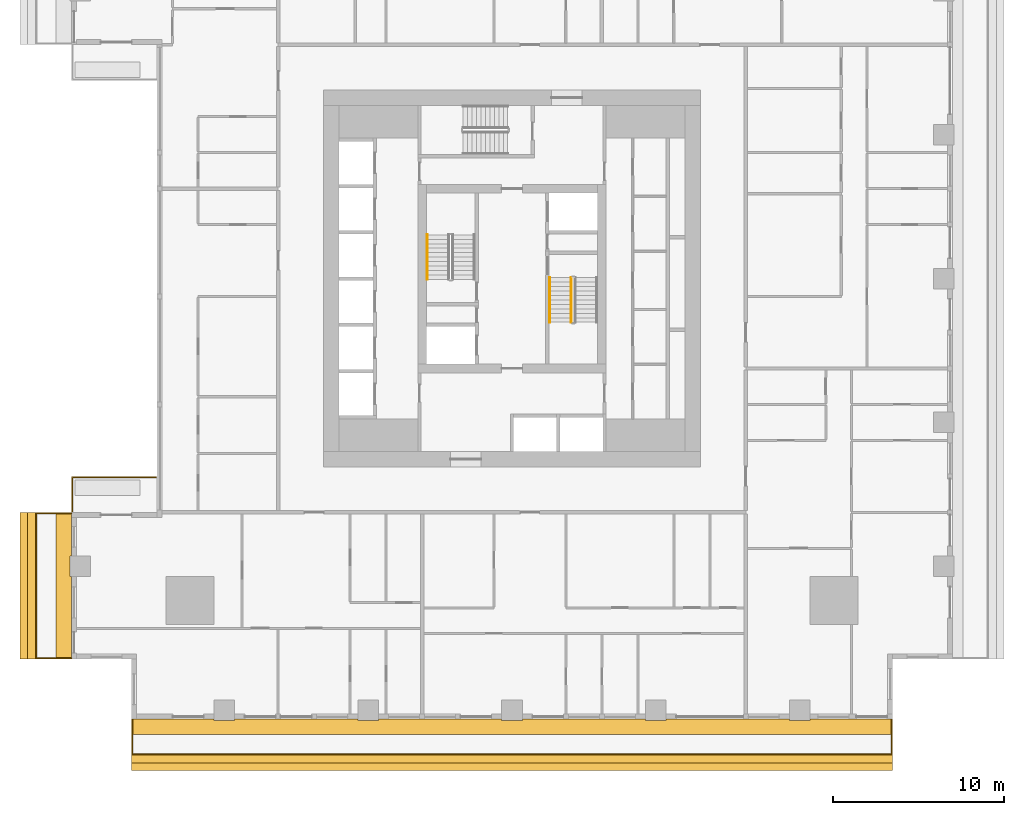
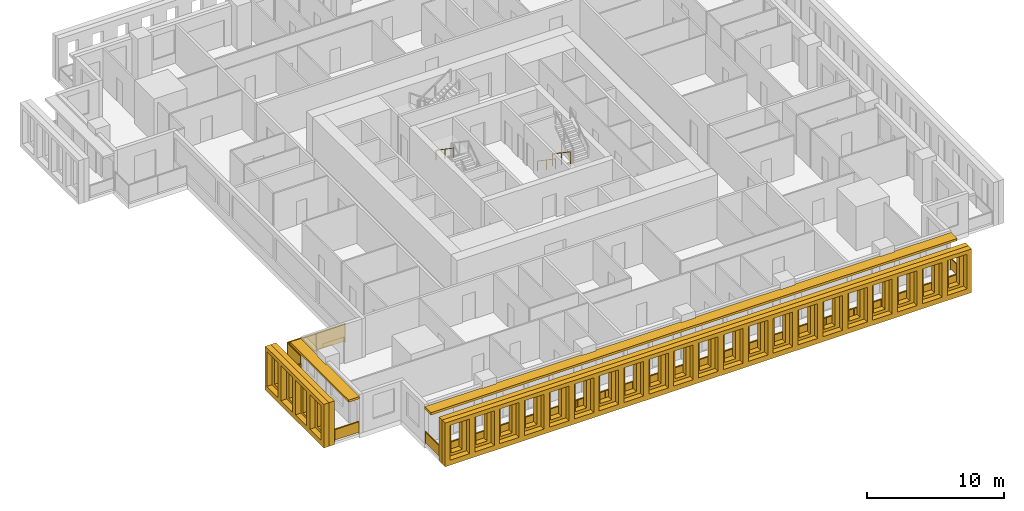
# One storey, part 11 of 15: 6 railings, 6 shading devices.
"""IFC4 building model written with IfcOpenShell, lengths in metres."""

from ifc_helpers import new_model, si_unit, direction, frame, origin, origin_2d, place, context, subcontext, project, spatial, polyline, rectangle, outline, extrude, material, layer, layer_set, type_object, element, save


model = new_model("IFC4")

# Units and contexts
model_context = context("Model", 3, precision=1e-05, world=origin(), true_north=direction((0.0, 1.0)))
body_context = subcontext(model_context, "Body", "Model", "MODEL_VIEW")
ifc_project = project(units=[si_unit("LENGTHUNIT", "METRE"), si_unit("AREAUNIT", "SQUARE_METRE"), si_unit("VOLUMEUNIT", "CUBIC_METRE"), si_unit("PLANEANGLEUNIT", "RADIAN"), si_unit("MASSUNIT", "GRAM", prefix="KILO")], contexts=[model_context])

# Site, building, storey
site_placement = place(None, origin())
site = spatial("IfcSite", under=ifc_project, at=site_placement, CompositionType="ELEMENT")
building_placement = place(site_placement, origin())
building = spatial("IfcBuilding", under=site, at=building_placement, Name="Khepri Terraces", CompositionType="ELEMENT")
storey_placement = place(building_placement, frame((0.0, 0.0, 118.199951171875)))
storey = spatial("IfcBuildingStorey", under=building, at=storey_placement, Name="L28", CompositionType="ELEMENT", Elevation=118.199951171875)

# Railings
ifc_material_1 = material(Name="Stainless steel grade 316", Category="steel")
railing_type_1 = type_object("IfcRailingType", Name="GRD-BAL-1100", PredefinedType="GUARDRAIL", material=ifc_material_1)
railing_1_placement = place(storey_placement, frame((-22.169921875, -25.719970703125, 0.0)))
element("IfcRailing", 1, at=railing_1_placement, inside=storey, type_object=railing_type_1, Name="Balcony guard L28 S", PredefinedType="GUARDRAIL", context=body_context, shape_type="SweptSolid", body=[
    extrude(rectangle(XDim=0.050048828125, YDim=0.06005859375, at=origin_2d()), frame((0.0, 0.0, 1.070068359375), z_axis=(0.0, -1.0, 0.0), x_axis=(1.0, 0.0, 0.0)), (0.0, 0.0, 1.0), 2.050048828125),
    extrude(rectangle(XDim=2.0, YDim=0.011962890625, at=origin_2d()), frame((0.0, -1.02490234375, 0.10009765625), z_axis=(0.0, 0.0, 1.0), x_axis=(0.0, -1.0, 0.0)), (0.0, 0.0, 1.0), 0.93994140625),
    extrude(rectangle(XDim=0.050048828125, YDim=0.06005859375, at=origin_2d()), frame((0.0, -2.050048828125, 1.070068359375), z_axis=(1.0, 0.0, 0.0), x_axis=(0.0, 1.0, 0.0)), (0.0, 0.0, 1.0), 44.33984375),
    extrude(rectangle(XDim=2.28369140625, YDim=0.011962890625, at=origin_2d()), frame((1.166748046875, -2.050048828125, 0.10009765625), z_axis=(0.0, 0.0, 1.0), x_axis=(1.0, 0.0, 0.0)), (0.0, 0.0, 1.0), 0.93994140625),
    extrude(rectangle(XDim=2.28369140625, YDim=0.011962890625, at=origin_2d()), frame((3.50048828125, -2.050048828125, 0.10009765625), z_axis=(0.0, 0.0, 1.0), x_axis=(1.0, 0.0, 0.0)), (0.0, 0.0, 1.0), 0.93994140625),
    extrude(rectangle(XDim=2.28369140625, YDim=0.011962890625, at=origin_2d()), frame((5.834228515625, -2.050048828125, 0.10009765625), z_axis=(0.0, 0.0, 1.0), x_axis=(1.0, 0.0, 0.0)), (0.0, 0.0, 1.0), 0.93994140625),
    extrude(rectangle(XDim=2.28369140625, YDim=0.011962890625, at=origin_2d()), frame((8.16796875, -2.050048828125, 0.10009765625), z_axis=(0.0, 0.0, 1.0), x_axis=(1.0, 0.0, 0.0)), (0.0, 0.0, 1.0), 0.93994140625),
    extrude(rectangle(XDim=2.28369140625, YDim=0.011962890625, at=origin_2d()), frame((10.50146484375, -2.050048828125, 0.10009765625), z_axis=(0.0, 0.0, 1.0), x_axis=(1.0, 0.0, 0.0)), (0.0, 0.0, 1.0), 0.93994140625),
    extrude(rectangle(XDim=2.28369140625, YDim=0.011962890625, at=origin_2d()), frame((12.835205078125, -2.050048828125, 0.10009765625), z_axis=(0.0, 0.0, 1.0), x_axis=(1.0, 0.0, 0.0)), (0.0, 0.0, 1.0), 0.93994140625),
    extrude(rectangle(XDim=2.28369140625, YDim=0.011962890625, at=origin_2d()), frame((15.1689453125, -2.050048828125, 0.10009765625), z_axis=(0.0, 0.0, 1.0), x_axis=(1.0, 0.0, 0.0)), (0.0, 0.0, 1.0), 0.93994140625),
    extrude(rectangle(XDim=2.28369140625, YDim=0.011962890625, at=origin_2d()), frame((17.502685546875, -2.050048828125, 0.10009765625), z_axis=(0.0, 0.0, 1.0), x_axis=(1.0, 0.0, 0.0)), (0.0, 0.0, 1.0), 0.93994140625),
    extrude(rectangle(XDim=2.28369140625, YDim=0.011962890625, at=origin_2d()), frame((19.836181640625, -2.050048828125, 0.10009765625), z_axis=(0.0, 0.0, 1.0), x_axis=(1.0, 0.0, 0.0)), (0.0, 0.0, 1.0), 0.93994140625),
    extrude(rectangle(XDim=2.28369140625, YDim=0.011962890625, at=origin_2d()), frame((22.169921875, -2.050048828125, 0.10009765625), z_axis=(0.0, 0.0, 1.0), x_axis=(1.0, 0.0, 0.0)), (0.0, 0.0, 1.0), 0.93994140625),
    extrude(rectangle(XDim=2.28369140625, YDim=0.011962890625, at=origin_2d()), frame((24.503662109375, -2.050048828125, 0.10009765625), z_axis=(0.0, 0.0, 1.0), x_axis=(1.0, 0.0, 0.0)), (0.0, 0.0, 1.0), 0.93994140625),
    extrude(rectangle(XDim=2.28369140625, YDim=0.011962890625, at=origin_2d()), frame((26.837158203125, -2.050048828125, 0.10009765625), z_axis=(0.0, 0.0, 1.0), x_axis=(1.0, 0.0, 0.0)), (0.0, 0.0, 1.0), 0.93994140625),
    extrude(rectangle(XDim=2.28369140625, YDim=0.011962890625, at=origin_2d()), frame((29.1708984375, -2.050048828125, 0.10009765625), z_axis=(0.0, 0.0, 1.0), x_axis=(1.0, 0.0, 0.0)), (0.0, 0.0, 1.0), 0.93994140625),
    extrude(rectangle(XDim=2.28369140625, YDim=0.011962890625, at=origin_2d()), frame((31.504638671875, -2.050048828125, 0.10009765625), z_axis=(0.0, 0.0, 1.0), x_axis=(1.0, 0.0, 0.0)), (0.0, 0.0, 1.0), 0.93994140625),
    extrude(rectangle(XDim=2.28369140625, YDim=0.011962890625, at=origin_2d()), frame((33.83837890625, -2.050048828125, 0.10009765625), z_axis=(0.0, 0.0, 1.0), x_axis=(1.0, 0.0, 0.0)), (0.0, 0.0, 1.0), 0.93994140625),
    extrude(rectangle(XDim=2.28369140625, YDim=0.011962890625, at=origin_2d()), frame((36.171875, -2.050048828125, 0.10009765625), z_axis=(0.0, 0.0, 1.0), x_axis=(1.0, 0.0, 0.0)), (0.0, 0.0, 1.0), 0.93994140625),
    extrude(rectangle(XDim=2.28369140625, YDim=0.011962890625, at=origin_2d()), frame((38.505615234375, -2.050048828125, 0.10009765625), z_axis=(0.0, 0.0, 1.0), x_axis=(1.0, 0.0, 0.0)), (0.0, 0.0, 1.0), 0.93994140625),
    extrude(rectangle(XDim=2.28369140625, YDim=0.011962890625, at=origin_2d()), frame((40.83935546875, -2.050048828125, 0.10009765625), z_axis=(0.0, 0.0, 1.0), x_axis=(1.0, 0.0, 0.0)), (0.0, 0.0, 1.0), 0.93994140625),
    extrude(rectangle(XDim=2.28369140625, YDim=0.011962890625, at=origin_2d()), frame((43.173095703125, -2.050048828125, 0.10009765625), z_axis=(0.0, 0.0, 1.0), x_axis=(1.0, 0.0, 0.0)), (0.0, 0.0, 1.0), 0.93994140625),
    extrude(rectangle(XDim=0.050048828125, YDim=0.06005859375, at=origin_2d()), frame((44.33984375, -2.050048828125, 1.070068359375), z_axis=(0.0, 1.0, 0.0), x_axis=(-1.0, 0.0, 0.0)), (0.0, 0.0, 1.0), 2.050048828125),
    extrude(rectangle(XDim=2.0, YDim=0.011962890625, at=origin_2d()), frame((44.33984375, -1.02490234375, 0.10009765625), z_axis=(0.0, 0.0, 1.0), x_axis=(0.0, 1.0, 0.0)), (0.0, 0.0, 1.0), 0.93994140625),
    extrude(rectangle(XDim=0.050048828125, YDim=0.050048828125, at=origin_2d()), origin(), (0.0, 0.0, 1.0), 1.0400390625),
    extrude(rectangle(XDim=0.050048828125, YDim=0.050048828125, at=origin_2d()), frame((0.0, -2.050048828125, 0.0)), (0.0, 0.0, 1.0), 1.0400390625),
    extrude(rectangle(XDim=0.050048828125, YDim=0.050048828125, at=origin_2d()), frame((2.333740234375, -2.050048828125, 0.0)), (0.0, 0.0, 1.0), 1.0400390625),
    extrude(rectangle(XDim=0.050048828125, YDim=0.050048828125, at=origin_2d()), frame((4.667236328125, -2.050048828125, 0.0)), (0.0, 0.0, 1.0), 1.0400390625),
    extrude(rectangle(XDim=0.050048828125, YDim=0.050048828125, at=origin_2d()), frame((7.0009765625, -2.050048828125, 0.0)), (0.0, 0.0, 1.0), 1.0400390625),
    extrude(rectangle(XDim=0.050048828125, YDim=0.050048828125, at=origin_2d()), frame((9.334716796875, -2.050048828125, 0.0)), (0.0, 0.0, 1.0), 1.0400390625),
    extrude(rectangle(XDim=0.050048828125, YDim=0.050048828125, at=origin_2d()), frame((11.66845703125, -2.050048828125, 0.0)), (0.0, 0.0, 1.0), 1.0400390625),
    extrude(rectangle(XDim=0.050048828125, YDim=0.050048828125, at=origin_2d()), frame((14.001953125, -2.050048828125, 0.0)), (0.0, 0.0, 1.0), 1.0400390625),
    extrude(rectangle(XDim=0.050048828125, YDim=0.050048828125, at=origin_2d()), frame((16.335693359375, -2.050048828125, 0.0)), (0.0, 0.0, 1.0), 1.0400390625),
    extrude(rectangle(XDim=0.050048828125, YDim=0.050048828125, at=origin_2d()), frame((18.66943359375, -2.050048828125, 0.0)), (0.0, 0.0, 1.0), 1.0400390625),
    extrude(rectangle(XDim=0.050048828125, YDim=0.050048828125, at=origin_2d()), frame((21.003173828125, -2.050048828125, 0.0)), (0.0, 0.0, 1.0), 1.0400390625),
    extrude(rectangle(XDim=0.050048828125, YDim=0.050048828125, at=origin_2d()), frame((23.336669921875, -2.050048828125, 0.0)), (0.0, 0.0, 1.0), 1.0400390625),
    extrude(rectangle(XDim=0.050048828125, YDim=0.050048828125, at=origin_2d()), frame((25.67041015625, -2.050048828125, 0.0)), (0.0, 0.0, 1.0), 1.0400390625),
    extrude(rectangle(XDim=0.050048828125, YDim=0.050048828125, at=origin_2d()), frame((28.004150390625, -2.050048828125, 0.0)), (0.0, 0.0, 1.0), 1.0400390625),
    extrude(rectangle(XDim=0.050048828125, YDim=0.050048828125, at=origin_2d()), frame((30.337890625, -2.050048828125, 0.0)), (0.0, 0.0, 1.0), 1.0400390625),
    extrude(rectangle(XDim=0.050048828125, YDim=0.050048828125, at=origin_2d()), frame((32.67138671875, -2.050048828125, 0.0)), (0.0, 0.0, 1.0), 1.0400390625),
    extrude(rectangle(XDim=0.050048828125, YDim=0.050048828125, at=origin_2d()), frame((35.005126953125, -2.050048828125, 0.0)), (0.0, 0.0, 1.0), 1.0400390625),
    extrude(rectangle(XDim=0.050048828125, YDim=0.050048828125, at=origin_2d()), frame((37.3388671875, -2.050048828125, 0.0)), (0.0, 0.0, 1.0), 1.0400390625),
    extrude(rectangle(XDim=0.050048828125, YDim=0.050048828125, at=origin_2d()), frame((39.672607421875, -2.050048828125, 0.0)), (0.0, 0.0, 1.0), 1.0400390625),
    extrude(rectangle(XDim=0.050048828125, YDim=0.050048828125, at=origin_2d()), frame((42.006103515625, -2.050048828125, 0.0)), (0.0, 0.0, 1.0), 1.0400390625),
    extrude(rectangle(XDim=0.050048828125, YDim=0.050048828125, at=origin_2d()), frame((44.33984375, -2.050048828125, 0.0)), (0.0, 0.0, 1.0), 1.0400390625),
    extrude(rectangle(XDim=0.050048828125, YDim=0.050048828125, at=origin_2d()), frame((44.33984375, 0.0, 0.0)), (0.0, 0.0, 1.0), 1.0400390625),
])
railing_2_placement = place(storey_placement, frame((-25.719970703125, -13.699951171875, 0.0)))
element("IfcRailing", 2, at=railing_2_placement, inside=storey, type_object=railing_type_1, Name="Balcony guard L28 W", PredefinedType="GUARDRAIL", context=body_context, shape_type="SweptSolid", body=[
    extrude(rectangle(XDim=0.050048828125, YDim=0.06005859375, at=origin_2d()), frame((0.0, 0.0, 1.070068359375), z_axis=(-1.0, 0.0, 0.0), x_axis=(0.0, -1.0, 0.0)), (0.0, 0.0, 1.0), 2.050048828125),
    extrude(rectangle(XDim=2.0, YDim=0.011962890625, at=origin_2d()), frame((-1.02490234375, 0.0, 0.10009765625), z_axis=(0.0, 0.0, 1.0), x_axis=(-1.0, 0.0, 0.0)), (0.0, 0.0, 1.0), 0.93994140625),
    extrude(rectangle(XDim=0.050048828125, YDim=0.06005859375, at=origin_2d()), frame((-2.050048828125, 0.0, 1.070068359375), z_axis=(0.0, -1.0, 0.0), x_axis=(1.0, 0.0, 0.0)), (0.0, 0.0, 1.0), 8.469970703125),
    extrude(rectangle(XDim=2.0673828125, YDim=0.011962890625, at=origin_2d()), frame((-2.050048828125, -1.058837890625, 0.10009765625), z_axis=(0.0, 0.0, 1.0), x_axis=(0.0, -1.0, 0.0)), (0.0, 0.0, 1.0), 0.93994140625),
    extrude(rectangle(XDim=2.0673828125, YDim=0.011962890625, at=origin_2d()), frame((-2.050048828125, -3.17626953125, 0.10009765625), z_axis=(0.0, 0.0, 1.0), x_axis=(0.0, -1.0, 0.0)), (0.0, 0.0, 1.0), 0.93994140625),
    extrude(rectangle(XDim=2.0673828125, YDim=0.011962890625, at=origin_2d()), frame((-2.050048828125, -5.293701171875, 0.10009765625), z_axis=(0.0, 0.0, 1.0), x_axis=(0.0, -1.0, 0.0)), (0.0, 0.0, 1.0), 0.93994140625),
    extrude(rectangle(XDim=2.0673828125, YDim=0.011962890625, at=origin_2d()), frame((-2.050048828125, -7.4111328125, 0.10009765625), z_axis=(0.0, 0.0, 1.0), x_axis=(0.0, -1.0, 0.0)), (0.0, 0.0, 1.0), 0.93994140625),
    extrude(rectangle(XDim=0.050048828125, YDim=0.06005859375, at=origin_2d()), frame((-2.050048828125, -8.469970703125, 1.070068359375), z_axis=(1.0, 0.0, 0.0), x_axis=(0.0, 1.0, 0.0)), (0.0, 0.0, 1.0), 2.050048828125),
    extrude(rectangle(XDim=2.0, YDim=0.011962890625, at=origin_2d()), frame((-1.02490234375, -8.469970703125, 0.10009765625), z_axis=(0.0, 0.0, 1.0), x_axis=(1.0, 0.0, 0.0)), (0.0, 0.0, 1.0), 0.93994140625),
    extrude(rectangle(XDim=0.050048828125, YDim=0.050048828125, at=origin_2d()), origin(), (0.0, 0.0, 1.0), 1.0400390625),
    extrude(rectangle(XDim=0.050048828125, YDim=0.050048828125, at=origin_2d()), frame((-2.050048828125, 0.0, 0.0)), (0.0, 0.0, 1.0), 1.0400390625),
    extrude(rectangle(XDim=0.050048828125, YDim=0.050048828125, at=origin_2d()), frame((-2.050048828125, -2.117431640625, 0.0)), (0.0, 0.0, 1.0), 1.0400390625),
    extrude(rectangle(XDim=0.050048828125, YDim=0.050048828125, at=origin_2d()), frame((-2.050048828125, -4.23486328125, 0.0)), (0.0, 0.0, 1.0), 1.0400390625),
    extrude(rectangle(XDim=0.050048828125, YDim=0.050048828125, at=origin_2d()), frame((-2.050048828125, -6.3525390625, 0.0)), (0.0, 0.0, 1.0), 1.0400390625),
    extrude(rectangle(XDim=0.050048828125, YDim=0.050048828125, at=origin_2d()), frame((-2.050048828125, -8.469970703125, 0.0)), (0.0, 0.0, 1.0), 1.0400390625),
    extrude(rectangle(XDim=0.050048828125, YDim=0.050048828125, at=origin_2d()), frame((0.0, -8.469970703125, 0.0)), (0.0, 0.0, 1.0), 1.0400390625),
])
railing_type_2 = type_object("IfcRailingType", Name="GRD-TERR-1700", PredefinedType="GUARDRAIL", material=ifc_material_1)
railing_3_placement = place(storey_placement, frame((-25.669921875, -13.580078125, 0.0)))
element("IfcRailing", 3, at=railing_3_placement, inside=storey, type_object=railing_type_2, Name="Terrace guard L28", PredefinedType="GUARDRAIL", context=body_context, shape_type="SweptSolid", body=[
    extrude(rectangle(XDim=0.050048828125, YDim=0.06005859375, at=origin_2d()), frame((0.0, 0.0, 1.669921875), z_axis=(0.0, 1.0, 0.0), x_axis=(-1.0, 0.0, 0.0)), (0.0, 0.0, 1.0), 1.97998046875),
    extrude(rectangle(XDim=1.929931640625, YDim=0.011962890625, at=origin_2d()), frame((0.0, 0.989990234375, 0.10009765625), z_axis=(0.0, 0.0, 1.0), x_axis=(0.0, 1.0, 0.0)), (0.0, 0.0, 1.0), 1.539794921875),
    extrude(rectangle(XDim=0.050048828125, YDim=0.06005859375, at=origin_2d()), frame((0.0, 1.97998046875, 1.669921875), z_axis=(1.0, 0.0, 0.0), x_axis=(0.0, 1.0, 0.0)), (0.0, 0.0, 1.0), 4.8798828125),
    extrude(rectangle(XDim=2.389892578125, YDim=0.011962890625, at=origin_2d()), frame((1.219970703125, 1.97998046875, 0.10009765625), z_axis=(0.0, 0.0, 1.0), x_axis=(1.0, 0.0, 0.0)), (0.0, 0.0, 1.0), 1.539794921875),
    extrude(rectangle(XDim=2.389892578125, YDim=0.011962890625, at=origin_2d()), frame((3.659912109375, 1.97998046875, 0.10009765625), z_axis=(0.0, 0.0, 1.0), x_axis=(1.0, 0.0, 0.0)), (0.0, 0.0, 1.0), 1.539794921875),
    extrude(rectangle(XDim=0.050048828125, YDim=0.050048828125, at=origin_2d()), origin(), (0.0, 0.0, 1.0), 1.639892578125),
    extrude(rectangle(XDim=0.050048828125, YDim=0.050048828125, at=origin_2d()), frame((0.0, 1.97998046875, 0.0)), (0.0, 0.0, 1.0), 1.639892578125),
    extrude(rectangle(XDim=0.050048828125, YDim=0.050048828125, at=origin_2d()), frame((2.43994140625, 1.97998046875, 0.0)), (0.0, 0.0, 1.0), 1.639892578125),
    extrude(rectangle(XDim=0.050048828125, YDim=0.050048828125, at=origin_2d()), frame((4.8798828125, 1.97998046875, 0.0)), (0.0, 0.0, 1.0), 1.639892578125),
])
ifc_material_2 = material(Name="Stainless steel 316", Category="steel")
railing_type_3 = type_object("IfcRailingType", Name="RL-CORE-GUARD", PredefinedType="GUARDRAIL", material=ifc_material_2)
railing_4_placement = place(storey_placement, frame((3.449951171875, 0.050048828125, 0.17724609375)))
element("IfcRailing", 4, at=railing_4_placement, inside=storey, type_object=railing_type_3, Name="L28 ST-2 stair guard 1", PredefinedType="GUARDRAIL", context=body_context, shape_type="SweptSolid", body=[
    extrude(rectangle(XDim=0.050048828125, YDim=0.06005859375, at=origin_2d()), frame((0.0, 0.0, 1.070068359375), z_axis=(0.0, -0.826240473404, 0.563317565952), x_axis=(1.0, 0.0, 0.0)), (0.0, 0.0, 1.0), 3.14697265625),
    extrude(rectangle(XDim=0.050048828125, YDim=0.050048828125, at=origin_2d()), origin(), (0.0, 0.0, 1.0), 1.0400390625),
    extrude(rectangle(XDim=0.050048828125, YDim=0.050048828125, at=origin_2d()), frame((0.0, -1.300048828125, 0.88623046875)), (0.0, 0.0, 1.0), 1.0400390625),
    extrude(rectangle(XDim=0.050048828125, YDim=0.050048828125, at=origin_2d()), frame((0.0, -2.60009765625, 1.772705078125)), (0.0, 0.0, 1.0), 1.0400390625),
])
railing_type_4 = type_object("IfcRailingType", Name="RL-CORE-HANDRAIL", PredefinedType="HANDRAIL", material=ifc_material_2)
for number, where, name in (
    (5, (-4.949951171875, 2.550048828125, 2.12744140625), "L28 ST-1 stair handrail 2"),
    (6, (2.199951171875, 0.050048828125, 0.17724609375), "L28 ST-2 stair handrail 1"),
):
    element("IfcRailing", number, at=place(storey_placement, frame(where)), inside=storey, type_object=railing_type_4, Name=name, PredefinedType="HANDRAIL", context=body_context, shape_type="SweptSolid", body=[
        extrude(rectangle(XDim=0.050048828125, YDim=0.050048828125, at=origin_2d()), frame((0.0, 0.0, 0.875), z_axis=(0.0, -0.826240473404, 0.563317565952), x_axis=(1.0, 0.0, 0.0)), (0.0, 0.0, 1.0), 3.14697265625),
        extrude(rectangle(XDim=0.050048828125, YDim=0.050048828125, at=origin_2d()), origin(), (0.0, 0.0, 1.0), 0.849853515625),
        extrude(rectangle(XDim=0.050048828125, YDim=0.050048828125, at=origin_2d()), frame((0.0, -1.300048828125, 0.88623046875)), (0.0, 0.0, 1.0), 0.849853515625),
        extrude(rectangle(XDim=0.050048828125, YDim=0.050048828125, at=origin_2d()), frame((0.0, -2.60009765625, 1.772705078125)), (0.0, 0.0, 1.0), 0.849853515625),
    ])

# Shading devices
ifc_material_3 = material(Name="Precast concrete C50/60 warm stone", Category="masonry")
shading_device_type_1 = type_object("IfcShadingDeviceType", Name="SCR-CELL-INNER-450", PredefinedType="USERDEFINED", material=ifc_material_3)
shading_device_1_placement = place(storey_placement, frame((-22.219970703125, -27.820068359375, -0.25), z_axis=(0.0, -1.0, 0.0), x_axis=(1.0, 0.0, 0.0)))
element("IfcShadingDevice", 7, at=shading_device_1_placement, inside=storey, type_object=shading_device_type_1, Name="Cell screen L28 S in", ObjectType="SCREEN", PredefinedType="USERDEFINED", context=body_context, shape_type="SweptSolid", body=[
    extrude(outline(polyline([(0.0, 0.0), (44.43994140625, 0.0), (44.43994140625, 3.89990234375), (0.0, 3.89990234375), (0.0, 0.0)]), holes=[polyline([(0.74755859375, 0.699951171875), (1.6923828125, 0.699951171875), (1.6923828125, 3.300048828125), (0.74755859375, 3.300048828125), (0.74755859375, 0.699951171875)]), polyline([(2.847412109375, 0.699951171875), (3.79248046875, 0.699951171875), (3.79248046875, 3.300048828125), (2.847412109375, 3.300048828125), (2.847412109375, 0.699951171875)]), polyline([(4.947509765625, 0.699951171875), (5.892578125, 0.699951171875), (5.892578125, 3.300048828125), (4.947509765625, 3.300048828125), (4.947509765625, 0.699951171875)]), polyline([(7.047607421875, 0.699951171875), (7.992431640625, 0.699951171875), (7.992431640625, 3.300048828125), (7.047607421875, 3.300048828125), (7.047607421875, 0.699951171875)]), polyline([(9.1474609375, 0.699951171875), (10.092529296875, 0.699951171875), (10.092529296875, 3.300048828125), (9.1474609375, 3.300048828125), (9.1474609375, 0.699951171875)]), polyline([(11.24755859375, 0.699951171875), (12.1923828125, 0.699951171875), (12.1923828125, 3.300048828125), (11.24755859375, 3.300048828125), (11.24755859375, 0.699951171875)]), polyline([(13.347412109375, 0.699951171875), (14.29248046875, 0.699951171875), (14.29248046875, 3.300048828125), (13.347412109375, 3.300048828125), (13.347412109375, 0.699951171875)]), polyline([(15.447509765625, 0.699951171875), (16.392578125, 0.699951171875), (16.392578125, 3.300048828125), (15.447509765625, 3.300048828125), (15.447509765625, 0.699951171875)]), polyline([(17.547607421875, 0.699951171875), (18.492431640625, 0.699951171875), (18.492431640625, 3.300048828125), (17.547607421875, 3.300048828125), (17.547607421875, 0.699951171875)]), polyline([(19.6474609375, 0.699951171875), (20.592529296875, 0.699951171875), (20.592529296875, 3.300048828125), (19.6474609375, 3.300048828125), (19.6474609375, 0.699951171875)]), polyline([(21.74755859375, 0.699951171875), (22.6923828125, 0.699951171875), (22.6923828125, 3.300048828125), (21.74755859375, 3.300048828125), (21.74755859375, 0.699951171875)]), polyline([(23.847412109375, 0.699951171875), (24.79248046875, 0.699951171875), (24.79248046875, 3.300048828125), (23.847412109375, 3.300048828125), (23.847412109375, 0.699951171875)]), polyline([(25.947509765625, 0.699951171875), (26.892578125, 0.699951171875), (26.892578125, 3.300048828125), (25.947509765625, 3.300048828125), (25.947509765625, 0.699951171875)]), polyline([(28.047607421875, 0.699951171875), (28.992431640625, 0.699951171875), (28.992431640625, 3.300048828125), (28.047607421875, 3.300048828125), (28.047607421875, 0.699951171875)]), polyline([(30.1474609375, 0.699951171875), (31.092529296875, 0.699951171875), (31.092529296875, 3.300048828125), (30.1474609375, 3.300048828125), (30.1474609375, 0.699951171875)]), polyline([(32.24755859375, 0.699951171875), (33.1923828125, 0.699951171875), (33.1923828125, 3.300048828125), (32.24755859375, 3.300048828125), (32.24755859375, 0.699951171875)]), polyline([(34.347412109375, 0.699951171875), (35.29248046875, 0.699951171875), (35.29248046875, 3.300048828125), (34.347412109375, 3.300048828125), (34.347412109375, 0.699951171875)]), polyline([(36.447509765625, 0.699951171875), (37.392578125, 0.699951171875), (37.392578125, 3.300048828125), (36.447509765625, 3.300048828125), (36.447509765625, 0.699951171875)]), polyline([(38.547607421875, 0.699951171875), (39.492431640625, 0.699951171875), (39.492431640625, 3.300048828125), (38.547607421875, 3.300048828125), (38.547607421875, 0.699951171875)]), polyline([(40.6474609375, 0.699951171875), (41.592529296875, 0.699951171875), (41.592529296875, 3.300048828125), (40.6474609375, 3.300048828125), (40.6474609375, 0.699951171875)]), polyline([(42.74755859375, 0.699951171875), (43.6923828125, 0.699951171875), (43.6923828125, 3.300048828125), (42.74755859375, 3.300048828125), (42.74755859375, 0.699951171875)])]), origin(), (0.0, 0.0, 1.0), 0.449951171875),
])
shading_device_2_placement = place(storey_placement, frame((-27.820068359375, -13.64990234375, -0.25), z_axis=(-1.0, 0.0, 0.0), x_axis=(0.0, -1.0, 0.0)))
element("IfcShadingDevice", 8, at=shading_device_2_placement, inside=storey, type_object=shading_device_type_1, Name="Cell screen L28 W in", ObjectType="SCREEN", PredefinedType="USERDEFINED", context=body_context, shape_type="SweptSolid", body=[
    extrude(outline(polyline([(0.0, 0.0), (8.570068359375, 0.0), (8.570068359375, 3.89990234375), (0.0, 3.89990234375), (0.0, 0.0)]), holes=[polyline([(0.577392578125, 0.699951171875), (1.5224609375, 0.699951171875), (1.5224609375, 3.300048828125), (0.577392578125, 3.300048828125), (0.577392578125, 0.699951171875)]), polyline([(2.677490234375, 0.699951171875), (3.62255859375, 0.699951171875), (3.62255859375, 3.300048828125), (2.677490234375, 3.300048828125), (2.677490234375, 0.699951171875)]), polyline([(4.777587890625, 0.699951171875), (5.722412109375, 0.699951171875), (5.722412109375, 3.300048828125), (4.777587890625, 3.300048828125), (4.777587890625, 0.699951171875)]), polyline([(6.87744140625, 0.699951171875), (7.822509765625, 0.699951171875), (7.822509765625, 3.300048828125), (6.87744140625, 3.300048828125), (6.87744140625, 0.699951171875)])]), origin(), (0.0, 0.0, 1.0), 0.449951171875),
])
shading_device_type_2 = type_object("IfcShadingDeviceType", Name="SCR-CELL-OUTER-450", PredefinedType="USERDEFINED", material=ifc_material_3)
shading_device_3_placement = place(storey_placement, frame((-22.219970703125, -28.27001953125, -0.25), z_axis=(0.0, -1.0, 0.0), x_axis=(1.0, 0.0, 0.0)))
element("IfcShadingDevice", 9, at=shading_device_3_placement, inside=storey, type_object=shading_device_type_2, Name="Cell screen L28 S out", ObjectType="SCREEN", PredefinedType="USERDEFINED", context=body_context, shape_type="SweptSolid", body=[
    extrude(outline(polyline([(0.0, 0.0), (44.43994140625, 0.0), (44.43994140625, 3.89990234375), (0.0, 3.89990234375), (0.0, 0.0)]), holes=[polyline([(0.3974609375, 0.449951171875), (2.04248046875, 0.449951171875), (2.04248046875, 3.550048828125), (0.3974609375, 3.550048828125), (0.3974609375, 0.449951171875)]), polyline([(2.49755859375, 0.449951171875), (4.142578125, 0.449951171875), (4.142578125, 3.550048828125), (2.49755859375, 3.550048828125), (2.49755859375, 0.449951171875)]), polyline([(4.597412109375, 0.449951171875), (6.242431640625, 0.449951171875), (6.242431640625, 3.550048828125), (4.597412109375, 3.550048828125), (4.597412109375, 0.449951171875)]), polyline([(6.697509765625, 0.449951171875), (8.342529296875, 0.449951171875), (8.342529296875, 3.550048828125), (6.697509765625, 3.550048828125), (6.697509765625, 0.449951171875)]), polyline([(8.797607421875, 0.449951171875), (10.4423828125, 0.449951171875), (10.4423828125, 3.550048828125), (8.797607421875, 3.550048828125), (8.797607421875, 0.449951171875)]), polyline([(10.8974609375, 0.449951171875), (12.54248046875, 0.449951171875), (12.54248046875, 3.550048828125), (10.8974609375, 3.550048828125), (10.8974609375, 0.449951171875)]), polyline([(12.99755859375, 0.449951171875), (14.642578125, 0.449951171875), (14.642578125, 3.550048828125), (12.99755859375, 3.550048828125), (12.99755859375, 0.449951171875)]), polyline([(15.097412109375, 0.449951171875), (16.742431640625, 0.449951171875), (16.742431640625, 3.550048828125), (15.097412109375, 3.550048828125), (15.097412109375, 0.449951171875)]), polyline([(17.197509765625, 0.449951171875), (18.842529296875, 0.449951171875), (18.842529296875, 3.550048828125), (17.197509765625, 3.550048828125), (17.197509765625, 0.449951171875)]), polyline([(19.297607421875, 0.449951171875), (20.9423828125, 0.449951171875), (20.9423828125, 3.550048828125), (19.297607421875, 3.550048828125), (19.297607421875, 0.449951171875)]), polyline([(21.3974609375, 0.449951171875), (23.04248046875, 0.449951171875), (23.04248046875, 3.550048828125), (21.3974609375, 3.550048828125), (21.3974609375, 0.449951171875)]), polyline([(23.49755859375, 0.449951171875), (25.142578125, 0.449951171875), (25.142578125, 3.550048828125), (23.49755859375, 3.550048828125), (23.49755859375, 0.449951171875)]), polyline([(25.597412109375, 0.449951171875), (27.242431640625, 0.449951171875), (27.242431640625, 3.550048828125), (25.597412109375, 3.550048828125), (25.597412109375, 0.449951171875)]), polyline([(27.697509765625, 0.449951171875), (29.342529296875, 0.449951171875), (29.342529296875, 3.550048828125), (27.697509765625, 3.550048828125), (27.697509765625, 0.449951171875)]), polyline([(29.797607421875, 0.449951171875), (31.4423828125, 0.449951171875), (31.4423828125, 3.550048828125), (29.797607421875, 3.550048828125), (29.797607421875, 0.449951171875)]), polyline([(31.8974609375, 0.449951171875), (33.54248046875, 0.449951171875), (33.54248046875, 3.550048828125), (31.8974609375, 3.550048828125), (31.8974609375, 0.449951171875)]), polyline([(33.99755859375, 0.449951171875), (35.642578125, 0.449951171875), (35.642578125, 3.550048828125), (33.99755859375, 3.550048828125), (33.99755859375, 0.449951171875)]), polyline([(36.097412109375, 0.449951171875), (37.742431640625, 0.449951171875), (37.742431640625, 3.550048828125), (36.097412109375, 3.550048828125), (36.097412109375, 0.449951171875)]), polyline([(38.197509765625, 0.449951171875), (39.842529296875, 0.449951171875), (39.842529296875, 3.550048828125), (38.197509765625, 3.550048828125), (38.197509765625, 0.449951171875)]), polyline([(40.297607421875, 0.449951171875), (41.9423828125, 0.449951171875), (41.9423828125, 3.550048828125), (40.297607421875, 3.550048828125), (40.297607421875, 0.449951171875)]), polyline([(42.3974609375, 0.449951171875), (44.04248046875, 0.449951171875), (44.04248046875, 3.550048828125), (42.3974609375, 3.550048828125), (42.3974609375, 0.449951171875)])]), origin(), (0.0, 0.0, 1.0), 0.449951171875),
])
shading_device_4_placement = place(storey_placement, frame((-28.27001953125, -13.64990234375, -0.25), z_axis=(-1.0, 0.0, 0.0), x_axis=(0.0, -1.0, 0.0)))
element("IfcShadingDevice", 10, at=shading_device_4_placement, inside=storey, type_object=shading_device_type_2, Name="Cell screen L28 W out", ObjectType="SCREEN", PredefinedType="USERDEFINED", context=body_context, shape_type="SweptSolid", body=[
    extrude(outline(polyline([(0.0, 0.0), (8.570068359375, 0.0), (8.570068359375, 3.89990234375), (0.0, 3.89990234375), (0.0, 0.0)]), holes=[polyline([(0.2275390625, 0.449951171875), (1.87255859375, 0.449951171875), (1.87255859375, 3.550048828125), (0.2275390625, 3.550048828125), (0.2275390625, 0.449951171875)]), polyline([(2.327392578125, 0.449951171875), (3.972412109375, 0.449951171875), (3.972412109375, 3.550048828125), (2.327392578125, 3.550048828125), (2.327392578125, 0.449951171875)]), polyline([(4.427490234375, 0.449951171875), (6.072509765625, 0.449951171875), (6.072509765625, 3.550048828125), (4.427490234375, 3.550048828125), (4.427490234375, 0.449951171875)]), polyline([(6.527587890625, 0.449951171875), (8.172607421875, 0.449951171875), (8.172607421875, 3.550048828125), (6.527587890625, 3.550048828125), (6.527587890625, 0.449951171875)])]), origin(), (0.0, 0.0, 1.0), 0.449951171875),
])
ifc_layer = layer(ifc_material_3, 0.199951171875, Name="Precast concrete C50/60 warm stone", Category="masonry")
ifc_layer_set = layer_set([ifc_layer], Name="Precast concrete C50/60 warm stone")
shading_device_type_3 = type_object("IfcShadingDeviceType", Name="SSH-BAND-STONE-200", PredefinedType="USERDEFINED", material=ifc_layer_set)
shading_device_5_placement = place(storey_placement, frame((0.0, 0.0, 3.10009765625)))
element("IfcShadingDevice", 11, at=shading_device_5_placement, inside=storey, type_object=shading_device_type_3, Name="Sunshade band L28 S", ObjectType="SUNSHADE", PredefinedType="USERDEFINED", context=body_context, shape_type="SweptSolid", body=[
    extrude(outline(polyline([(-17.39990234375, -25.719970703125), (-22.219970703125, -25.719970703125), (-22.219970703125, -26.6201171875), (22.219970703125, -26.6201171875), (22.219970703125, -25.719970703125), (17.39990234375, -25.719970703125), (17.39990234375, -25.800048828125), (16.199951171875, -25.800048828125), (16.199951171875, -25.719970703125), (9.0, -25.719970703125), (9.0, -25.800048828125), (7.800048828125, -25.800048828125), (7.800048828125, -25.719970703125), (0.60009765625, -25.719970703125), (0.60009765625, -25.800048828125), (-0.60009765625, -25.800048828125), (-0.60009765625, -25.719970703125), (-7.800048828125, -25.719970703125), (-7.800048828125, -25.800048828125), (-9.0, -25.800048828125), (-9.0, -25.719970703125), (-16.199951171875, -25.719970703125), (-16.199951171875, -25.800048828125), (-17.39990234375, -25.800048828125), (-17.39990234375, -25.719970703125)])), origin(), (0.0, 0.0, 1.0), 0.199951171875),
])
shading_device_6_placement = place(storey_placement, frame((0.0, 0.0, 3.10009765625)))
element("IfcShadingDevice", 12, at=shading_device_6_placement, inside=storey, type_object=shading_device_type_3, Name="Sunshade band L28 W", ObjectType="SUNSHADE", PredefinedType="USERDEFINED", context=body_context, shape_type="SweptSolid", body=[
    extrude(outline(polyline([(-25.719970703125, -16.199951171875), (-25.719970703125, -13.64990234375), (-26.6201171875, -13.64990234375), (-26.6201171875, -22.219970703125), (-25.719970703125, -22.219970703125), (-25.719970703125, -17.39990234375), (-25.800048828125, -17.39990234375), (-25.800048828125, -16.199951171875), (-25.719970703125, -16.199951171875)])), origin(), (0.0, 0.0, 1.0), 0.199951171875),
])

save(model, "model.ifc")
